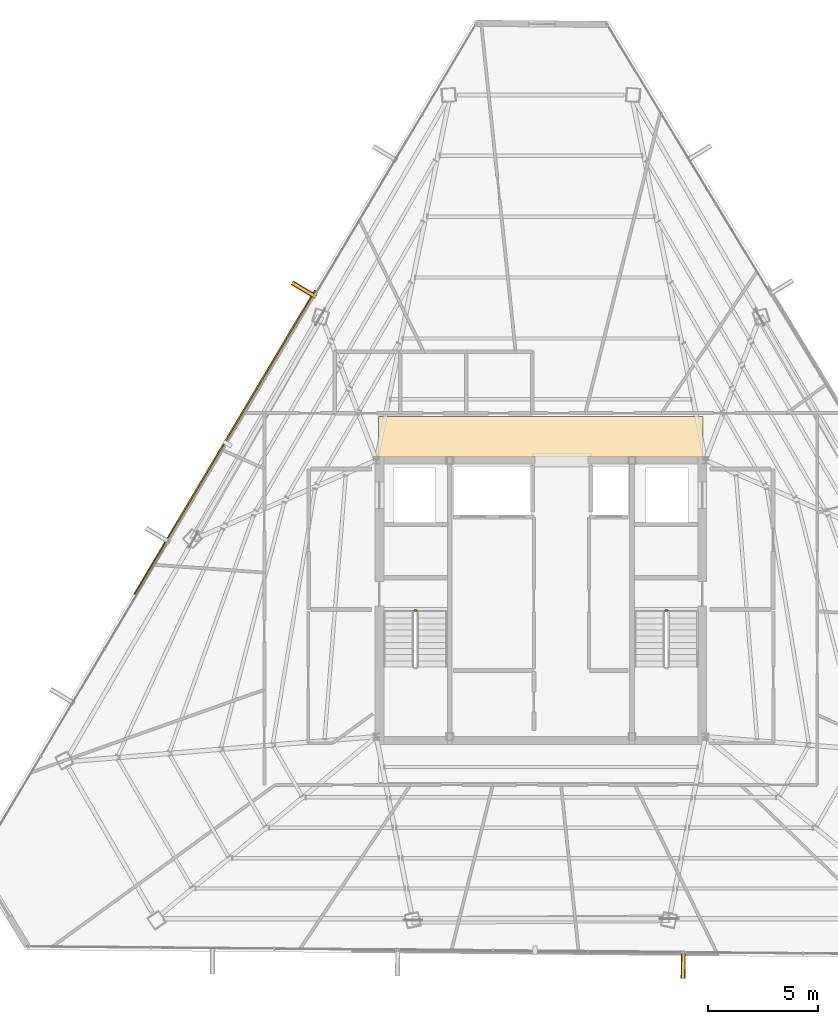
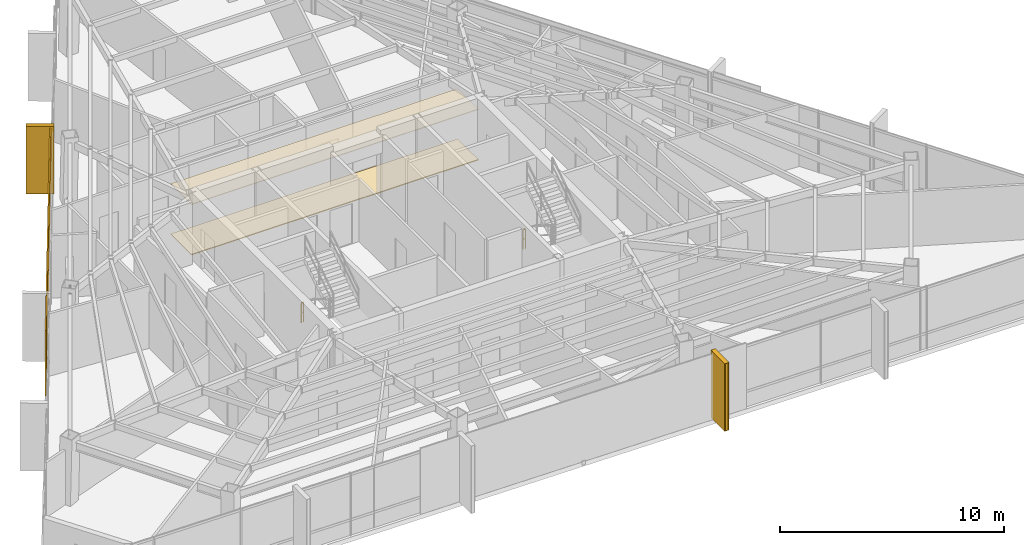
# One storey, part 44 of 45: 4 coverings, 3 shading devices, 2 railings.
"""IFC4 building model written with IfcOpenShell, lengths in metres."""

from ifc_helpers import new_model, si_unit, direction, frame, origin, origin_2d, place, context, subcontext, project, spatial, polyline, rectangle, outline, extrude, source, transform, mapped, material, layer, layer_set, type_object, type_shapes, element, save


model = new_model("IFC4")

# Units and contexts
model_context = context("Model", 3, precision=1e-05, world=origin(), true_north=direction((0.0, 1.0)))
body_context = subcontext(model_context, "Body", "Model", "MODEL_VIEW")
ifc_project = project(units=[si_unit("LENGTHUNIT", "METRE"), si_unit("AREAUNIT", "SQUARE_METRE"), si_unit("VOLUMEUNIT", "CUBIC_METRE"), si_unit("PLANEANGLEUNIT", "RADIAN"), si_unit("MASSUNIT", "GRAM", prefix="KILO")], contexts=[model_context])

# Site, building, storey
site_placement = place(None, origin())
site = spatial("IfcSite", under=ifc_project, at=site_placement, CompositionType="ELEMENT")
building_placement = place(site_placement, origin())
building = spatial("IfcBuilding", under=site, at=building_placement, Name="Caelisora Broadcast Tower", CompositionType="ELEMENT")
storey_placement = place(building_placement, frame((0.0, 0.0, 240.800048828125)))
storey = spatial("IfcBuildingStorey", under=building, at=storey_placement, Name="L63", CompositionType="ELEMENT", Elevation=240.800048828125)

# Coverings
ifc_material_1 = material(Name="Perforated Mineral-Fibre Acoustic Ceiling Tile", Category="gypsum")
ifc_layer_1 = layer(ifc_material_1, 0.034912109375, Name="Perforated Mineral-Fibre Acoustic Ceiling Tile")
ifc_layer_set_1 = layer_set([ifc_layer_1], Name="Perforated Mineral-Fibre Acoustic Ceiling Tile")
covering_type_1 = type_object("IfcCoveringType", Name="CE-1", PredefinedType="CEILING", material=ifc_layer_set_1)
covering_1_placement = place(storey_placement, frame((0.0, 0.0, 2.75)))
element("IfcCovering", 1, at=covering_1_placement, inside=storey, type_object=covering_type_1, Name="L63 acoustic corridor ceiling CE-1 (N)", PredefinedType="CEILING", context=body_context, shape_type="SweptSolid", body=[
    extrude(outline(polyline([(30.60009765625, 30.14990234375), (45.39990234375, 30.14990234375), (45.39990234375, 32.0), (30.60009765625, 32.0), (30.60009765625, 30.14990234375)])), origin(), (0.0, 0.0, 1.0), 0.034912109375),
])
ifc_material_2 = material(Name="Anti-Static Broadcast Raised Access Floor Panel", Category="steel")
ifc_layer_2 = layer(ifc_material_2, 0.044921875, Name="Anti-Static Broadcast Raised Access Floor Panel")
ifc_layer_set_2 = layer_set([ifc_layer_2], Name="Anti-Static Broadcast Raised Access Floor Panel")
covering_type_2 = type_object("IfcCoveringType", Name="FL-1", PredefinedType="FLOORING", material=ifc_layer_set_2)
covering_2_placement = place(storey_placement, origin())
element("IfcCovering", 2, at=covering_2_placement, inside=storey, type_object=covering_type_2, Name="L63 broadcast raised access floor FL-1 (N)", PredefinedType="FLOORING", context=body_context, shape_type="SweptSolid", body=[
    extrude(outline(polyline([(30.60009765625, 30.14990234375), (45.39990234375, 30.14990234375), (45.39990234375, 32.0), (30.60009765625, 32.0), (30.60009765625, 30.14990234375)])), origin(), (0.0, 0.0, 1.0), 0.044921875),
])

# Railings
ifc_material_3 = material(Name="Galvanised Steel Safety Guardrail", Category="steel")
ifc_layer_3 = layer(ifc_material_3, 0.048095703125, Name="Galvanised Steel Safety Guardrail")
ifc_layer_set_3 = layer_set([ifc_layer_3], Name="Galvanised Steel Safety Guardrail")
railing_type = type_object("IfcRailingType", Name="GR-1", PredefinedType="GUARDRAIL", material=ifc_layer_set_3)
for number, where, name in (
    (3, (32.219970703125, 23.14990234375, 0.0), "L63 ST-1 stair guard 4"),
    (4, (43.659912109375, 23.14990234375, 0.0), "L63 ST-2 stair guard 4"),
):
    element("IfcRailing", number, at=place(storey_placement, frame(where)), inside=storey, type_object=railing_type, Name=name, PredefinedType="GUARDRAIL", context=body_context, shape_type="SweptSolid", body=[
        extrude(rectangle(XDim=0.048095703125, YDim=0.048095703125, at=origin_2d()), frame((0.0, 0.0, 1.076171875), z_axis=(1.0, 0.0, 0.0), x_axis=(0.0, 1.0, 0.0)), (0.0, 0.0, 1.0), 0.1201171875),
        extrude(rectangle(XDim=0.03125, YDim=0.03125, at=origin_2d()), frame((0.0, 0.0, 0.550048828125), z_axis=(1.0, 0.0, 0.0), x_axis=(0.0, 1.0, 0.0)), (0.0, 0.0, 1.0), 0.1201171875),
        extrude(rectangle(XDim=0.0419921875, YDim=0.0419921875, at=origin_2d()), origin(), (0.0, 0.0, 1.0), 1.052001953125),
        extrude(rectangle(XDim=0.0419921875, YDim=0.0419921875, at=origin_2d()), frame((0.1201171875, 0.0, 0.0)), (0.0, 0.0, 1.0), 1.052001953125),
    ])

# Coverings
ifc_material_4 = material(Name="Kiln-Fired Terracotta Spandrel Rainscreen Cladding", Category="ceramic")
ifc_layer_4 = layer(ifc_material_4, 0.044921875, Name="Kiln-Fired Terracotta Spandrel Rainscreen Cladding")
ifc_layer_set_4 = layer_set([ifc_layer_4], Name="Kiln-Fired Terracotta Spandrel Rainscreen Cladding")
covering_type_3 = type_object("IfcCoveringType", Name="CL-1", PredefinedType="CLADDING", material=ifc_layer_set_4)
shared_shape_1 = source(origin(), body_context, "Body", "SweptSolid", [
    extrude(rectangle(XDim=0.219970703125, YDim=1.25, at=origin_2d()), origin(), (0.0, 0.0, 1.0), 3.68994140625),
])
type_shapes(covering_type_3, [shared_shape_1])
for number, where, z_axis, x_axis, name in (
    (5, (44.491455078125, 7.0068359375, -0.02001953125), (0.0, 0.0, 1.0), (-0.999960384766, 0.008901061644, 0.0), "L63 vertical solar fin cladding #2-2"),
    (6, (27.1982421875, 37.771484375, -0.02001953125), (0.0, 0.0, 1.0), (0.510993065504, 0.859584834096, 0.0), "L63 vertical solar fin cladding #3-3"),
):
    element("IfcCovering", number, at=place(storey_placement, frame(where, z_axis=z_axis, x_axis=x_axis)), inside=storey, type_object=covering_type_3, Name=name, PredefinedType="CLADDING", context=body_context, shape_type="MappedRepresentation", body=[
        mapped(shared_shape_1, transform((0.0, 0.0, 0.0), scale=1.0)),
    ])

# Shading devices
ifc_material_5 = material(Name="Extruded Terracotta Flaring Colonnade Fin", Category="ceramic")
ifc_layer_5 = layer(ifc_material_5, 0.139892578125, Name="Extruded Terracotta Flaring Colonnade Fin")
ifc_layer_set_5 = layer_set([ifc_layer_5], Name="Extruded Terracotta Flaring Colonnade Fin")
shading_device_type_1 = type_object("IfcShadingDeviceType", Name="FN-1", PredefinedType="USERDEFINED", material=ifc_layer_set_5)
shared_shape_2 = source(origin(), body_context, "Body", "SweptSolid", [
    extrude(rectangle(XDim=0.139892578125, YDim=1.25, at=origin_2d()), origin(), (0.0, 0.0, 1.0), 3.669921875),
])
type_shapes(shading_device_type_1, [shared_shape_2])
for number, where, z_axis, x_axis, name in (
    (7, (44.491455078125, 7.0068359375, -0.010009765625), (0.0, 0.0, 1.0), (-0.999960384766, 0.008901061644, 0.0), "L63 vertical terracotta fin #2-2"),
    (8, (27.1982421875, 37.771484375, -0.010009765625), (0.0, 0.0, 1.0), (0.510993065504, 0.859584834096, 0.0), "L63 vertical terracotta fin #3-3"),
):
    element("IfcShadingDevice", number, at=place(storey_placement, frame(where, z_axis=z_axis, x_axis=x_axis)), inside=storey, type_object=shading_device_type_1, Name=name, ObjectType="FIN", PredefinedType="USERDEFINED", context=body_context, shape_type="MappedRepresentation", body=[
        mapped(shared_shape_2, transform((0.0, 0.0, 0.0), scale=1.0)),
    ])
ifc_material_6 = material(Name="Perforated Glazed Terracotta Baguette Solar Screen", Category="ceramic")
ifc_layer_6 = layer(ifc_material_6, 0.06494140625, Name="Perforated Glazed Terracotta Baguette Solar Screen")
ifc_layer_set_6 = layer_set([ifc_layer_6], Name="Perforated Glazed Terracotta Baguette Solar Screen")
shading_device_type_2 = type_object("IfcShadingDeviceType", Name="SS-1", PredefinedType="USERDEFINED", material=ifc_layer_set_6)
shared_shape_3 = source(origin(), body_context, "Body", "SweptSolid", [
    extrude(rectangle(XDim=16.10400390625, YDim=0.06494140625, at=origin_2d()), origin(), (0.0, 0.0, 1.0), 3.590087890625),
])
type_shapes(shading_device_type_2, [shared_shape_3])
shading_device_placement = place(storey_placement, frame((23.59033203125, 30.821533203125, 0.0), z_axis=(0.0, 0.0, 1.0), x_axis=(-0.510993065504, -0.859584834096, 0.0)))
element("IfcShadingDevice", 9, at=shading_device_placement, inside=storey, type_object=shading_device_type_2, Name="L63 perforated terracotta solar screen #1", ObjectType="SOLAR SCREEN", PredefinedType="USERDEFINED", context=body_context, shape_type="MappedRepresentation", body=[
    mapped(shared_shape_3, transform((0.0, 0.0, 0.0), scale=1.0)),
])

save(model, "model.ifc")
